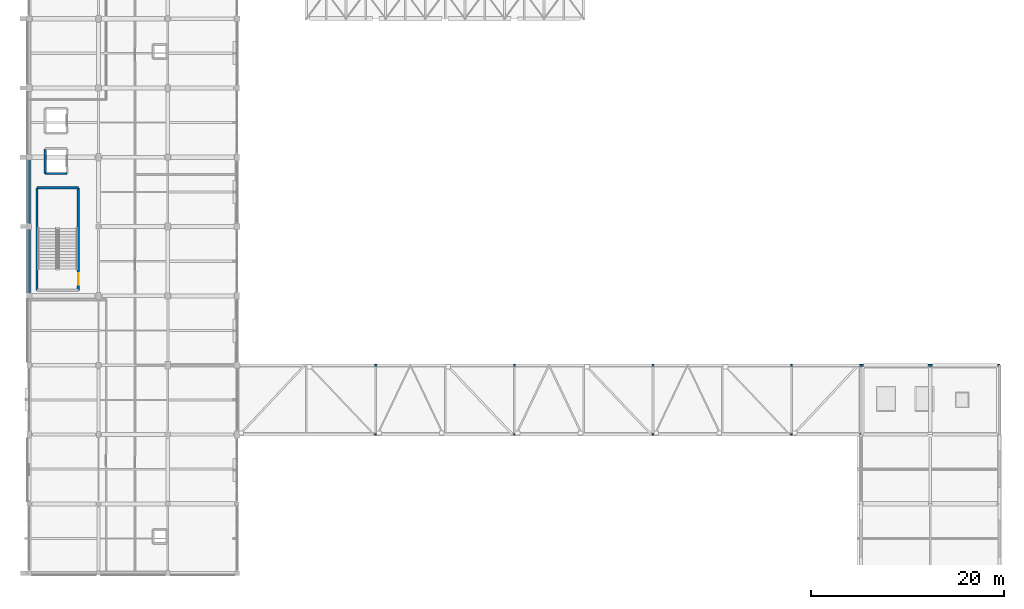
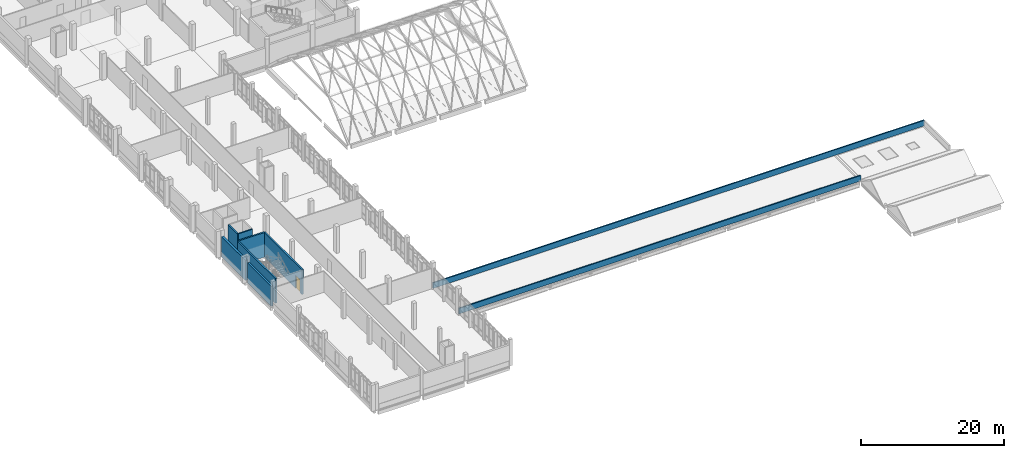
# One storey, part 71 of 87: 9 walls, 1 door, 1 opening.
"""IFC4 building model written with IfcOpenShell, lengths in metres."""

from ifc_helpers import new_model, si_unit, direction, frame, frame_2d, origin, place, context, subcontext, project, spatial, rectangle, extrude, material, layer, layer_set, type_object, element, fill, save


model = new_model("IFC4")

# Units and contexts
model_context = context("Model", 3, precision=1e-05, world=origin(), true_north=direction((0.0, 1.0)))
body_context = subcontext(model_context, "Body", "Model", "MODEL_VIEW")
ifc_project = project(units=[si_unit("LENGTHUNIT", "METRE"), si_unit("AREAUNIT", "SQUARE_METRE"), si_unit("VOLUMEUNIT", "CUBIC_METRE"), si_unit("PLANEANGLEUNIT", "RADIAN"), si_unit("MASSUNIT", "GRAM", prefix="KILO")], contexts=[model_context])

# Site, building, storey
site_placement = place(None, origin())
site = spatial("IfcSite", under=ifc_project, at=site_placement, CompositionType="ELEMENT")
building_placement = place(site_placement, origin())
building = spatial("IfcBuilding", under=site, at=building_placement, Name="Kalluvel Institute of Natural Sciences", CompositionType="ELEMENT")
storey_placement = place(building_placement, frame((0.0, 0.0, 18.89990234375)))
storey = spatial("IfcBuildingStorey", under=building, at=storey_placement, Name="L04", CompositionType="ELEMENT", Elevation=18.89990234375)

# Wall, opening, door
ifc_material_1 = material(Name="Concrete M40", Category="concrete")
ifc_layer_1 = layer(ifc_material_1, 0.25)
ifc_layer_set_1 = layer_set([ifc_layer_1], Name="Concrete M40")
wall_type_1 = type_object("IfcWallType", Name="WL-CORE-250", PredefinedType="SHEAR", material=ifc_layer_set_1)
wall_1_placement = place(storey_placement, frame((19.114990234375, 43.385009765625, 0.0), z_axis=(0.0, 0.0, 1.0), x_axis=(0.0, 1.0, 0.0)))
wall_1 = element("IfcWall", 1, at=wall_1_placement, inside=storey, type_object=wall_type_1, Name="ST4 L04 core wall E", PredefinedType="SHEAR", context=body_context, shape_type="SweptSolid", body=[
    extrude(rectangle(XDim=10.6298828125, YDim=0.25, at=frame_2d((5.31494140625, 0.0))), origin(), (0.0, 0.0, 1.0), 4.195068359375),
])
opening_placement = place(wall_1_placement, frame((0.550048828125, 0.0, 0.0)))
opening = element("IfcOpeningElement", 2, at=opening_placement, cuts=wall_1, Name="Opening DS-039", PredefinedType="OPENING", context=body_context, shape_type="SweptSolid", body=[
    extrude(rectangle(XDim=1.199951171875, YDim=2.14990234375, at=frame_2d((0.60009765625, 1.074951171875))), frame((0.0, 0.135009765625, 0.0), z_axis=(0.0, -1.0, 0.0), x_axis=(1.0, 0.0, 0.0)), (0.0, 0.0, 1.0), 0.27001953125),
])
ifc_material_2 = material(Name="Galvanized Fire-Rated Steel", Category="steel")
door_type = type_object("IfcDoorType", Name="DR-ST-1200", OperationType="NOTDEFINED", PredefinedType="DOOR", material=ifc_material_2)
door_placement = place(opening_placement, origin())
door = element("IfcDoor", 3, at=door_placement, inside=storey, type_object=door_type, Name="ST4 L04 protected stair door DS-039", OperationType="SINGLE_SWING_RIGHT", OverallHeight=2.14990234375, OverallWidth=1.199951171875, PredefinedType="DOOR", context=body_context, shape_type="SweptSolid", body=[
    extrude(rectangle(XDim=1.199951171875, YDim=2.14990234375, at=frame_2d((0.60009765625, 1.074951171875))), frame((0.0, 0.02490234375, 0.0), z_axis=(0.0, -1.0, 0.0), x_axis=(1.0, 0.0, 0.0)), (0.0, 0.0, 1.0), 0.050048828125),
])
fill(opening, door)

# Walls
wall_2_placement = place(storey_placement, frame((19.114990234375, 54.014892578125, 0.0), z_axis=(0.0, 0.0, 1.0), x_axis=(-1.0, 0.0, 0.0)))
element("IfcWall", 4, at=wall_2_placement, inside=storey, type_object=wall_type_1, Name="ST4 L04 core wall N", PredefinedType="SHEAR", context=body_context, shape_type="SweptSolid", body=[
    extrude(rectangle(XDim=4.300048828125, YDim=0.25, at=frame_2d((2.14990234375, 0.0))), origin(), (0.0, 0.0, 1.0), 4.195068359375),
])
wall_3_placement = place(storey_placement, frame((14.81494140625, 54.014892578125, 0.0), z_axis=(0.0, 0.0, 1.0), x_axis=(0.0, -1.0, 0.0)))
element("IfcWall", 5, at=wall_3_placement, inside=storey, type_object=wall_type_1, Name="ST4 L04 core wall W", PredefinedType="SHEAR", context=body_context, shape_type="SweptSolid", body=[
    extrude(rectangle(XDim=10.6298828125, YDim=0.25, at=frame_2d((5.31494140625, 0.0))), origin(), (0.0, 0.0, 1.0), 4.195068359375),
])
ifc_material_3 = material(Name="Sadarahalli Grey Granite Ashlar Concrete M40", Category="masonry")
ifc_layer_2 = layer(ifc_material_3, 0.320068359375)
ifc_layer_set_2 = layer_set([ifc_layer_2], Name="Sadarahalli Grey Granite Ashlar Concrete M40")
wall_type_2 = type_object("IfcWallType", Name="WL-EXT-320", PredefinedType="SOLIDWALL", material=ifc_layer_set_2)
wall_4_placement = place(storey_placement, frame((14.0, 43.054931640625, 0.0), z_axis=(0.0, 0.0, 1.0), x_axis=(0.0, 1.0, 0.0)))
element("IfcWall", 6, at=wall_4_placement, inside=storey, type_object=wall_type_2, Name="L04 Sadarahalli granite exterior wall WL-EXT-L04-0182", PredefinedType="SOLIDWALL", context=body_context, shape_type="SweptSolid", body=[
    extrude(rectangle(XDim=6.6650390625, YDim=0.320068359375, at=frame_2d((3.33251953125, 0.0))), origin(), (0.0, 0.0, 1.0), 3.375),
])
wall_5_placement = place(storey_placement, frame((14.0, 50.280029296875, 0.0), z_axis=(0.0, 0.0, 1.0), x_axis=(0.0, 1.0, 0.0)))
element("IfcWall", 7, at=wall_5_placement, inside=storey, type_object=wall_type_2, Name="L04 Sadarahalli granite exterior wall WL-EXT-L04-0183", PredefinedType="SOLIDWALL", context=body_context, shape_type="SweptSolid", body=[
    extrude(rectangle(XDim=6.6650390625, YDim=0.320068359375, at=frame_2d((3.33251953125, 0.0))), origin(), (0.0, 0.0, 1.0), 3.455078125),
])
ifc_layer_3 = layer(ifc_material_3, 0.199951171875)
ifc_layer_set_3 = layer_set([ifc_layer_3], Name="Sadarahalli Grey Granite Ashlar Concrete M40")
wall_type_3 = type_object("IfcWallType", Name="WL-PAR-200", PredefinedType="PARAPET", material=ifc_layer_set_3)
wall_6_placement = place(storey_placement, frame((100.39990234375, 28.39990234375, 0.0), z_axis=(0.0, 0.0, 1.0), x_axis=(-1.0, 0.0, 0.0)))
element("IfcWall", 8, at=wall_6_placement, inside=storey, type_object=wall_type_3, Name="L04 maintenance roof stone parapet 20", PredefinedType="PARAPET", context=body_context, shape_type="SweptSolid", body=[
    extrude(rectangle(XDim=64.7998046875, YDim=0.199951171875, at=frame_2d((32.39990234375, 0.0))), origin(), (0.0, 0.0, 1.0), 0.9501953125),
])
wall_7_placement = place(storey_placement, frame((35.60009765625, 35.60009765625, 0.0), z_axis=(0.0, 0.0, 1.0), x_axis=(1.0, 0.0, 0.0)))
element("IfcWall", 9, at=wall_7_placement, inside=storey, type_object=wall_type_3, Name="L04 maintenance roof stone parapet 22", PredefinedType="PARAPET", context=body_context, shape_type="SweptSolid", body=[
    extrude(rectangle(XDim=79.199951171875, YDim=0.199951171875, at=frame_2d((39.60009765625, 0.0))), origin(), (0.0, 0.0, 1.0), 0.9501953125),
])
ifc_layer_4 = layer(ifc_material_1, 0.219970703125)
ifc_layer_set_4 = layer_set([ifc_layer_4], Name="Concrete M40")
wall_type_4 = type_object("IfcWallType", Name="WL-SHAFT-220", PredefinedType="SHEAR", material=ifc_layer_set_4)
wall_8_placement = place(storey_placement, frame((15.669921875, 55.52001953125, 0.0), z_axis=(0.0, 0.0, 1.0), x_axis=(1.0, 0.0, 0.0)))
element("IfcWall", 10, at=wall_8_placement, inside=storey, type_object=wall_type_4, Name="LF6 L04 lift shaft wall", PredefinedType="SHEAR", context=body_context, shape_type="SweptSolid", body=[
    extrude(rectangle(XDim=2.260009765625, YDim=0.219970703125, at=frame_2d((1.1298828125, 0.0))), origin(), (0.0, 0.0, 1.0), 4.195068359375),
])
wall_9_placement = place(storey_placement, frame((15.669921875, 58.080078125, 0.0), z_axis=(0.0, 0.0, 1.0), x_axis=(0.0, -1.0, 0.0)))
element("IfcWall", 11, at=wall_9_placement, inside=storey, type_object=wall_type_4, Name="LF6 L04 lift shaft wall", PredefinedType="SHEAR", context=body_context, shape_type="SweptSolid", body=[
    extrude(rectangle(XDim=2.56005859375, YDim=0.219970703125, at=frame_2d((1.280029296875, 0.0))), origin(), (0.0, 0.0, 1.0), 4.195068359375),
])

save(model, "model.ifc")
